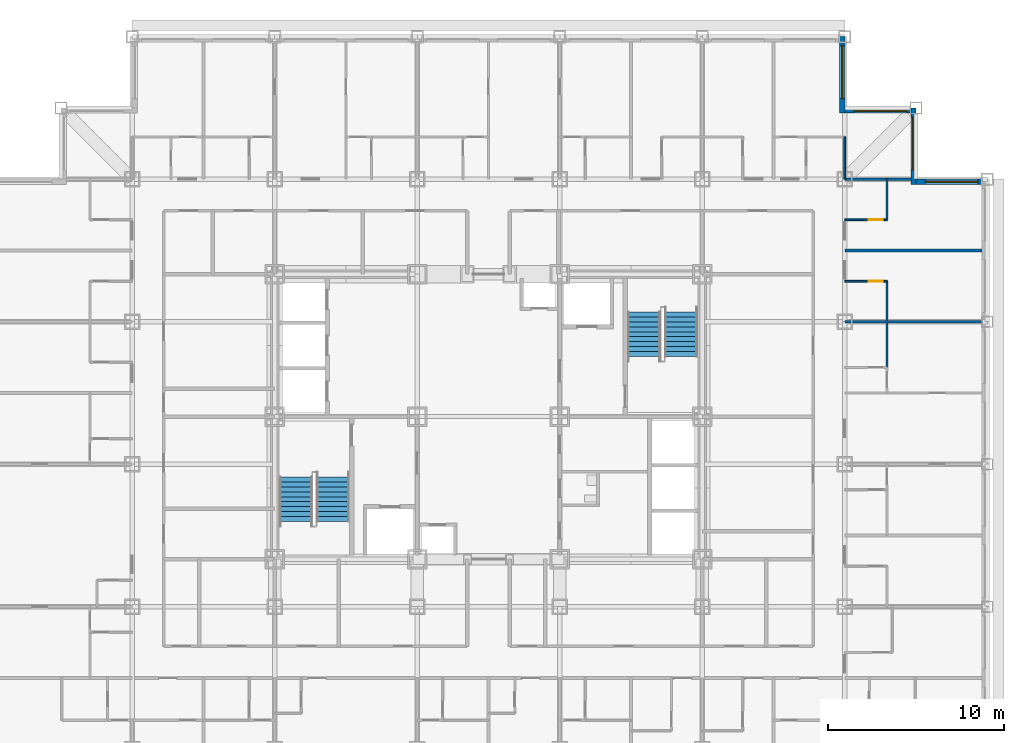
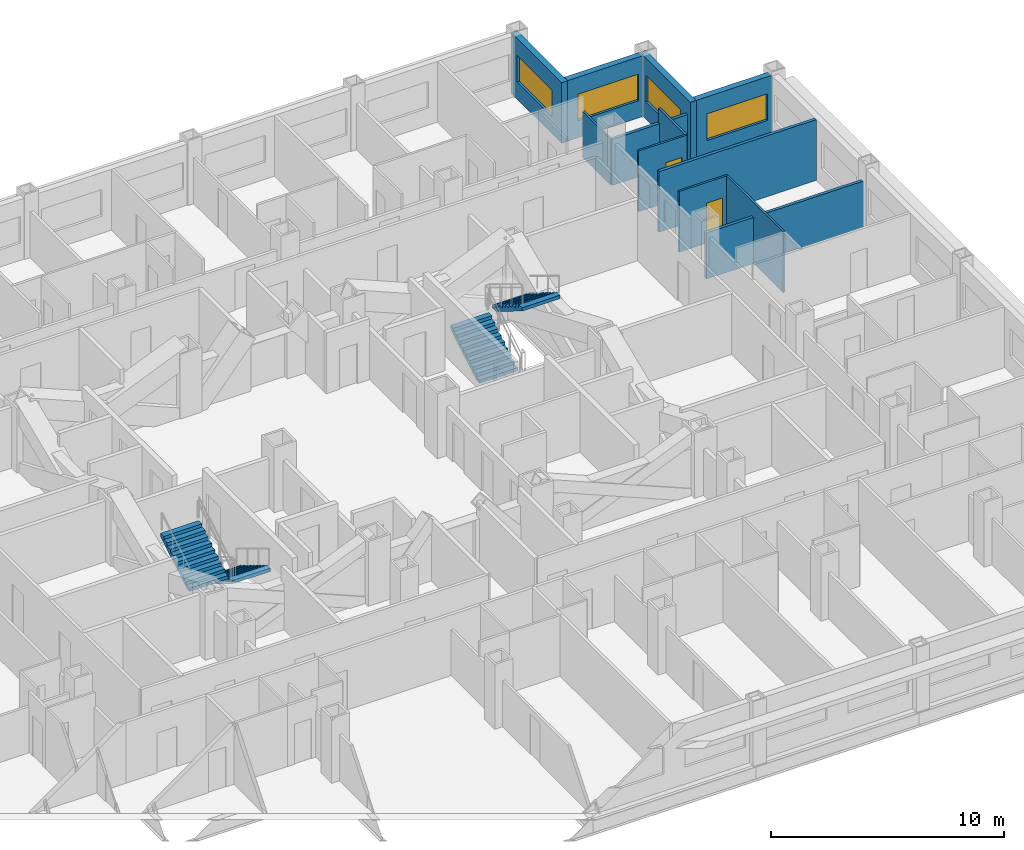
# One storey, part 12 of 14: 12 walls, 4 stair flights, 4 windows, 2 doors, 6 openings, 2 elements without a shape of their own.
"""IFC4 building model written with IfcOpenShell, lengths in metres."""

from ifc_helpers import new_model, si_unit, direction, frame, frame_2d, origin, place, context, subcontext, project, spatial, rectangle, extrude, polygons, source, transform, mapped, material, layer, layer_set, type_object, element, fill, aggregate, save


model = new_model("IFC4")

# Units and contexts
model_context = context("Model", 3, precision=1e-05, world=origin(), true_north=direction((0.0, 1.0)))
body_context = subcontext(model_context, "Body", "Model", "MODEL_VIEW")
ifc_project = project(units=[si_unit("LENGTHUNIT", "METRE"), si_unit("AREAUNIT", "SQUARE_METRE"), si_unit("VOLUMEUNIT", "CUBIC_METRE"), si_unit("PLANEANGLEUNIT", "RADIAN"), si_unit("MASSUNIT", "GRAM", prefix="KILO")], contexts=[model_context])

# Site, building, storey
site_placement = place(None, origin())
site = spatial("IfcSite", under=ifc_project, at=site_placement, CompositionType="ELEMENT")
building_placement = place(site_placement, origin())
building = spatial("IfcBuilding", under=site, at=building_placement, Name="Kopane Lantern Tower", CompositionType="ELEMENT")
storey_placement = place(building_placement, frame((0.0, 0.0, 151.0)))
storey = spatial("IfcBuildingStorey", under=building, at=storey_placement, Name="L39", CompositionType="ELEMENT", Elevation=151.0)

# Wall
ifc_material_1 = material(Name="Moisture-resistant board on steel studs", Category="steel")
ifc_layer_1 = layer(ifc_material_1, 0.10009765625)
ifc_layer_set_1 = layer_set([ifc_layer_1], Name="BATHROOM WALL 100")
wall_type_1 = type_object("IfcWallType", Name="BATHROOM WALL 100", PredefinedType="PARTITIONING", material=ifc_layer_set_1)
wall_1_placement = place(storey_placement, frame((51.0, 35.199951171875, 0.0), z_axis=(0.0, 0.0, 1.0), x_axis=(0.0, 1.0, 0.0)))
element("IfcWall", 1, at=wall_1_placement, inside=storey, type_object=wall_type_1, Name="Bathroom Wall 100 L39", PredefinedType="PARTITIONING", context=body_context, shape_type="SweptSolid", body=[
    extrude(rectangle(XDim=4.900146484375, YDim=0.10009765625, at=frame_2d((2.4501953125, 0.0))), origin(), (0.0, 0.0, 1.0), 3.18994140625),
])

# Wall, opening, door
wall_2_placement = place(storey_placement, frame((48.60009765625, 40.10009765625, 0.0), z_axis=(0.0, 0.0, 1.0), x_axis=(1.0, 0.0, 0.0)))
wall_2 = element("IfcWall", 2, at=wall_2_placement, inside=storey, type_object=wall_type_1, Name="Bathroom Wall 100 L39", PredefinedType="PARTITIONING", context=body_context, shape_type="SweptSolid", body=[
    extrude(rectangle(XDim=2.39990234375, YDim=0.10009765625, at=frame_2d((1.199951171875, 0.0))), origin(), (0.0, 0.0, 1.0), 3.18994140625),
])
opening_1_placement = place(wall_2_placement, frame((1.35009765625, 0.0, 0.0)))
opening_1 = element("IfcOpeningElement", 3, at=opening_1_placement, cuts=wall_2, Name="Opening L39-072", PredefinedType="OPENING", context=body_context, shape_type="SweptSolid", body=[
    extrude(rectangle(XDim=0.800048828125, YDim=2.10009765625, at=frame_2d((0.39990234375, 1.050048828125))), frame((0.0, 0.06005859375, 0.0), z_axis=(0.0, -1.0, 0.0), x_axis=(1.0, 0.0, 0.0)), (0.0, 0.0, 1.0), 0.1201171875),
])
ifc_material_2 = material(Name="Timber door set", Category="wood")
door_type = type_object("IfcDoorType", Name="DOOR D2 800x2100", OperationType="SINGLE_SWING_LEFT", PredefinedType="DOOR", material=ifc_material_2)
door_1_placement = place(opening_1_placement, origin())
door_1 = element("IfcDoor", 4, at=door_1_placement, inside=storey, type_object=door_type, Name="Door L39-072", OperationType="SINGLE_SWING_LEFT", OverallHeight=2.10009765625, OverallWidth=0.800048828125, PredefinedType="DOOR", context=body_context, shape_type="SweptSolid", body=[
    extrude(rectangle(XDim=0.800048828125, YDim=2.10009765625, at=frame_2d((0.39990234375, 1.050048828125))), frame((0.0, 0.02490234375, 0.0), z_axis=(0.0, -1.0, 0.0), x_axis=(1.0, 0.0, 0.0)), (0.0, 0.0, 1.0), 0.050048828125),
])
fill(opening_1, door_1)

# Wall
wall_3_placement = place(storey_placement, frame((51.0, 43.60009765625, 0.0), z_axis=(0.0, 0.0, 1.0), x_axis=(0.0, 1.0, 0.0)))
element("IfcWall", 5, at=wall_3_placement, inside=storey, type_object=wall_type_1, Name="Bathroom Wall 100 L39", PredefinedType="PARTITIONING", context=body_context, shape_type="SweptSolid", body=[
    extrude(rectangle(XDim=2.2998046875, YDim=0.10009765625, at=frame_2d((1.14990234375, 0.0))), origin(), (0.0, 0.0, 1.0), 3.18994140625),
])

# Wall, opening, door
wall_4_placement = place(storey_placement, frame((48.60009765625, 43.60009765625, 0.0), z_axis=(0.0, 0.0, 1.0), x_axis=(1.0, 0.0, 0.0)))
wall_4 = element("IfcWall", 6, at=wall_4_placement, inside=storey, type_object=wall_type_1, Name="Bathroom Wall 100 L39", PredefinedType="PARTITIONING", context=body_context, shape_type="SweptSolid", body=[
    extrude(rectangle(XDim=2.39990234375, YDim=0.10009765625, at=frame_2d((1.199951171875, 0.0))), origin(), (0.0, 0.0, 1.0), 3.18994140625),
])
opening_2_placement = place(wall_4_placement, frame((1.35009765625, 0.0, 0.0)))
opening_2 = element("IfcOpeningElement", 7, at=opening_2_placement, cuts=wall_4, Name="Opening L39-074", PredefinedType="OPENING", context=body_context, shape_type="SweptSolid", body=[
    extrude(rectangle(XDim=0.800048828125, YDim=2.10009765625, at=frame_2d((0.39990234375, 1.050048828125))), frame((0.0, 0.06005859375, 0.0), z_axis=(0.0, -1.0, 0.0), x_axis=(1.0, 0.0, 0.0)), (0.0, 0.0, 1.0), 0.1201171875),
])
door_2_placement = place(opening_2_placement, origin())
door_2 = element("IfcDoor", 8, at=door_2_placement, inside=storey, type_object=door_type, Name="Door L39-074", OperationType="SINGLE_SWING_RIGHT", OverallHeight=2.10009765625, OverallWidth=0.800048828125, PredefinedType="DOOR", context=body_context, shape_type="SweptSolid", body=[
    extrude(rectangle(XDim=0.800048828125, YDim=2.10009765625, at=frame_2d((0.39990234375, 1.050048828125))), frame((0.0, 0.02490234375, 0.0), z_axis=(0.0, -1.0, 0.0), x_axis=(1.0, 0.0, 0.0)), (0.0, 0.0, 1.0), 0.050048828125),
])
fill(opening_2, door_2)

# Walls
wall_5_placement = place(storey_placement, frame((48.60009765625, 45.89990234375, 0.0), z_axis=(0.0, 0.0, 1.0), x_axis=(0.0, 1.0, 0.0)))
element("IfcWall", 9, at=wall_5_placement, inside=storey, type_object=wall_type_1, Name="Bathroom Wall 100 L39", PredefinedType="PARTITIONING", context=body_context, shape_type="SweptSolid", body=[
    extrude(rectangle(XDim=2.400146484375, YDim=0.10009765625, at=frame_2d((1.2001953125, 0.0))), origin(), (0.0, 0.0, 1.0), 2.420166015625),
])
ifc_material_3 = material(Name="Gypsum board on steel studs", Category="steel")
ifc_layer_2 = layer(ifc_material_3, 0.14990234375)
ifc_layer_set_2 = layer_set([ifc_layer_2], Name="DEMISING WALL 150 EI 60")
wall_type_2 = type_object("IfcWallType", Name="DEMISING WALL 150 EI 60", PredefinedType="PARTITIONING", material=ifc_layer_set_2)
wall_6_placement = place(storey_placement, frame((48.60009765625, 37.800048828125, 0.0), z_axis=(0.0, 0.0, 1.0), x_axis=(1.0, 0.0, 0.0)))
element("IfcWall", 10, at=wall_6_placement, inside=storey, type_object=wall_type_2, Name="Demising Wall 150 Ei 60 L39", PredefinedType="PARTITIONING", context=body_context, shape_type="SweptSolid", body=[
    extrude(rectangle(XDim=7.7998046875, YDim=0.14990234375, at=frame_2d((3.89990234375, 0.0))), origin(), (0.0, 0.0, 1.0), 2.420166015625),
])
wall_7_placement = place(storey_placement, frame((48.60009765625, 41.85009765625, 0.0), z_axis=(0.0, 0.0, 1.0), x_axis=(1.0, 0.0, 0.0)))
element("IfcWall", 11, at=wall_7_placement, inside=storey, type_object=wall_type_2, Name="Demising Wall 150 Ei 60 L39", PredefinedType="PARTITIONING", context=body_context, shape_type="SweptSolid", body=[
    extrude(rectangle(XDim=7.7998046875, YDim=0.14990234375, at=frame_2d((3.89990234375, 0.0))), origin(), (0.0, 0.0, 1.0), 3.18994140625),
])
wall_8_placement = place(storey_placement, frame((48.60009765625, 45.89990234375, 0.0), z_axis=(0.0, 0.0, 1.0), x_axis=(1.0, 0.0, 0.0)))
element("IfcWall", 12, at=wall_8_placement, inside=storey, type_object=wall_type_2, Name="Demising Wall 150 Ei 60 L39", PredefinedType="PARTITIONING", context=body_context, shape_type="SweptSolid", body=[
    extrude(rectangle(XDim=3.75, YDim=0.14990234375, at=frame_2d((1.875, 0.0))), origin(), (0.0, 0.0, 1.0), 2.420166015625),
])

# Wall, opening, window
ifc_material_4 = material(Name="Terracotta rainscreen on light steel framing", Category="masonry")
ifc_layer_3 = layer(ifc_material_4, 0.300048828125)
ifc_layer_set_3 = layer_set([ifc_layer_3], Name="EXTERNAL WALL EW1 300 TERRACOTTA")
wall_type_3 = type_object("IfcWallType", Name="EXTERNAL WALL EW1 300 TERRACOTTA", PredefinedType="SOLIDWALL", material=ifc_layer_set_3)
wall_9_placement = place(storey_placement, frame((56.39990234375, 45.75, 0.0), z_axis=(0.0, 0.0, 1.0), x_axis=(-1.0, 0.0, 0.0)))
wall_9 = element("IfcWall", 13, at=wall_9_placement, inside=storey, type_object=wall_type_3, Name="External wall N L39", PredefinedType="SOLIDWALL", context=body_context, shape_type="SweptSolid", body=[
    extrude(rectangle(XDim=3.75, YDim=0.300048828125, at=frame_2d((1.875, 0.0))), origin(), (0.0, 0.0, 1.0), 3.18994140625),
])
opening_3_placement = place(wall_9_placement, frame((0.22509765625, 0.0, 0.89990234375)))
opening_3 = element("IfcOpeningElement", 14, at=opening_3_placement, cuts=wall_9, Name="Opening WR300140", PredefinedType="OPENING", context=body_context, shape_type="SweptSolid", body=[
    extrude(rectangle(XDim=3.0, YDim=1.39990234375, at=frame_2d((1.5, 0.699951171875))), frame((0.0, 0.159912109375, 0.0), z_axis=(0.0, -1.0, 0.0), x_axis=(1.0, 0.0, 0.0)), (0.0, 0.0, 1.0), 0.320068359375),
])
ifc_material_5 = material(Name="Aluminium and clear glass", Category="aluminium")
window_type = type_object("IfcWindowType", Name="RIBBON WINDOW WR300140 3000x1400", PartitioningType="SINGLE_PANEL", PredefinedType="WINDOW", material=ifc_material_5)
window_1_placement = place(opening_3_placement, origin())
window_1 = element("IfcWindow", 15, at=window_1_placement, inside=storey, type_object=window_type, Name="Window N L39", OverallHeight=1.39990234375, OverallWidth=3.0, PartitioningType="SINGLE_PANEL", PredefinedType="WINDOW", context=body_context, shape_type="SweptSolid", body=[
    extrude(rectangle(XDim=3.0, YDim=1.39990234375, at=frame_2d((1.5, 0.699951171875))), frame((0.0, 0.030029296875, 0.0), z_axis=(0.0, -1.0, 0.0), x_axis=(1.0, 0.0, 0.0)), (0.0, 0.0, 1.0), 0.06005859375),
])
fill(opening_3, window_1)

wall_10_placement = place(storey_placement, frame((52.5, 45.60009765625, 0.0), z_axis=(0.0, 0.0, 1.0), x_axis=(0.0, 1.0, 0.0)))
wall_10 = element("IfcWall", 16, at=wall_10_placement, inside=storey, type_object=wall_type_3, Name="External wall E L39", PredefinedType="SOLIDWALL", context=body_context, shape_type="SweptSolid", body=[
    extrude(rectangle(XDim=4.349853515625, YDim=0.300048828125, at=frame_2d((2.1748046875, 0.0))), origin(), (0.0, 0.0, 1.0), 3.18994140625),
])
opening_4_placement = place(wall_10_placement, frame((0.824951171875, 0.0, 0.89990234375)))
opening_4 = element("IfcOpeningElement", 17, at=opening_4_placement, cuts=wall_10, Name="Opening WR300140", PredefinedType="OPENING", context=body_context, shape_type="SweptSolid", body=[
    extrude(rectangle(XDim=3.0, YDim=1.39990234375, at=frame_2d((1.5, 0.699951171875))), frame((0.0, 0.159912109375, 0.0), z_axis=(0.0, -1.0, 0.0), x_axis=(1.0, 0.0, 0.0)), (0.0, 0.0, 1.0), 0.320068359375),
])
window_2_placement = place(opening_4_placement, origin())
window_2 = element("IfcWindow", 18, at=window_2_placement, inside=storey, type_object=window_type, Name="Window E L39", OverallHeight=1.39990234375, OverallWidth=3.0, PartitioningType="SINGLE_PANEL", PredefinedType="WINDOW", context=body_context, shape_type="SweptSolid", body=[
    extrude(rectangle(XDim=3.0, YDim=1.39990234375, at=frame_2d((1.5, 0.699951171875))), frame((0.0, 0.030029296875, 0.0), z_axis=(0.0, -1.0, 0.0), x_axis=(1.0, 0.0, 0.0)), (0.0, 0.0, 1.0), 0.06005859375),
])
fill(opening_4, window_2)

wall_11_placement = place(storey_placement, frame((52.35009765625, 49.800048828125, 0.0), z_axis=(0.0, 0.0, 1.0), x_axis=(-1.0, 0.0, 0.0)))
wall_11 = element("IfcWall", 19, at=wall_11_placement, inside=storey, type_object=wall_type_3, Name="External wall N L39", PredefinedType="SOLIDWALL", context=body_context, shape_type="SweptSolid", body=[
    extrude(rectangle(XDim=3.75, YDim=0.300048828125, at=frame_2d((1.875, 0.0))), origin(), (0.0, 0.0, 1.0), 3.18994140625),
])
opening_5_placement = place(wall_11_placement, frame((0.22509765625, 0.0, 0.89990234375)))
opening_5 = element("IfcOpeningElement", 20, at=opening_5_placement, cuts=wall_11, Name="Opening WR300140", PredefinedType="OPENING", context=body_context, shape_type="SweptSolid", body=[
    extrude(rectangle(XDim=3.0, YDim=1.39990234375, at=frame_2d((1.5, 0.699951171875))), frame((0.0, 0.159912109375, 0.0), z_axis=(0.0, -1.0, 0.0), x_axis=(1.0, 0.0, 0.0)), (0.0, 0.0, 1.0), 0.320068359375),
])
window_3_placement = place(opening_5_placement, origin())
window_3 = element("IfcWindow", 21, at=window_3_placement, inside=storey, type_object=window_type, Name="Window N L39", OverallHeight=1.39990234375, OverallWidth=3.0, PartitioningType="SINGLE_PANEL", PredefinedType="WINDOW", context=body_context, shape_type="SweptSolid", body=[
    extrude(rectangle(XDim=3.0, YDim=1.39990234375, at=frame_2d((1.5, 0.699951171875))), frame((0.0, 0.030029296875, 0.0), z_axis=(0.0, -1.0, 0.0), x_axis=(1.0, 0.0, 0.0)), (0.0, 0.0, 1.0), 0.06005859375),
])
fill(opening_5, window_3)

wall_12_placement = place(storey_placement, frame((48.449951171875, 49.64990234375, 0.0), z_axis=(0.0, 0.0, 1.0), x_axis=(0.0, 1.0, 0.0)))
wall_12 = element("IfcWall", 22, at=wall_12_placement, inside=storey, type_object=wall_type_3, Name="External wall E L39", PredefinedType="SOLIDWALL", context=body_context, shape_type="SweptSolid", body=[
    extrude(rectangle(XDim=4.35009765625, YDim=0.300048828125, at=frame_2d((2.175048828125, 0.0))), origin(), (0.0, 0.0, 1.0), 3.18994140625),
])
opening_6_placement = place(wall_12_placement, frame((0.824951171875, 0.0, 0.89990234375)))
opening_6 = element("IfcOpeningElement", 23, at=opening_6_placement, cuts=wall_12, Name="Opening WR300140", PredefinedType="OPENING", context=body_context, shape_type="SweptSolid", body=[
    extrude(rectangle(XDim=3.0, YDim=1.39990234375, at=frame_2d((1.5, 0.699951171875))), frame((0.0, 0.159912109375, 0.0), z_axis=(0.0, -1.0, 0.0), x_axis=(1.0, 0.0, 0.0)), (0.0, 0.0, 1.0), 0.320068359375),
])
window_4_placement = place(opening_6_placement, origin())
window_4 = element("IfcWindow", 24, at=window_4_placement, inside=storey, type_object=window_type, Name="Window E L39", OverallHeight=1.39990234375, OverallWidth=3.0, PartitioningType="SINGLE_PANEL", PredefinedType="WINDOW", context=body_context, shape_type="SweptSolid", body=[
    extrude(rectangle(XDim=3.0, YDim=1.39990234375, at=frame_2d((1.5, 0.699951171875))), frame((0.0, 0.030029296875, 0.0), z_axis=(0.0, -1.0, 0.0), x_axis=(1.0, 0.0, 0.0)), (0.0, 0.0, 1.0), 0.06005859375),
])
fill(opening_6, window_4)

# Stair, stair flights
ifc_material_6 = material(Name="Steel S355JR", Category="steel")
stair_type = type_object("IfcStairType", Name="EXIT STAIR 1900 HALF TURN", PredefinedType="HALF_TURN_STAIR", material=ifc_material_6)
stair_1_placement = place(storey_placement, origin())
stair_1 = element("IfcStair", 25, at=stair_1_placement, inside=storey, type_object=stair_type, Name="Exit stair ST1 L39", PredefinedType="HALF_TURN_STAIR")
ifc_material_7 = material(Name="Steel S355JR", Category="steel")
stair_flight_type = type_object("IfcStairFlightType", Name="STAIR FLIGHT 1900 STEEL", PredefinedType="STRAIGHT", material=ifc_material_7)
shared_shape = source(origin(), body_context, "Body", "Tessellation", [
    polygons([(2.520019531, 0.949951172, 1.530029297), (2.239990234, 0.949951172, 1.530029297), (2.239990234, -0.949951172, 1.530029297), (2.520019531, -0.949951172, 1.530029297), (0.288818359, 0.949951172, 0.0), (2.520019531, 0.949951172, 1.354736328), (2.520019531, -0.949951172, 1.354736328), (0.288818359, -0.949951172, 0.0), (0.0, 0.949951172, 0.0), (0.0, -0.949951172, 0.0), (0.280029297, 0.949951172, 0.169921875), (0.0, 0.949951172, 0.169921875), (0.0, -0.949951172, 0.169921875), (0.280029297, -0.949951172, 0.169921875), (0.280029297, 0.949951172, 0.340087891), (0.280029297, -0.949951172, 0.340087891), (0.560058594, 0.949951172, 0.340087891), (0.560058594, -0.949951172, 0.340087891), (0.560058594, 0.949951172, 0.510009766), (0.560058594, -0.949951172, 0.510009766), (0.840087891, 0.949951172, 0.510009766), (0.840087891, -0.949951172, 0.510009766), (0.840087891, 0.949951172, 0.679931641), (0.840087891, -0.949951172, 0.679931641), (1.120117188, 0.949951172, 0.679931641), (1.120117188, -0.949951172, 0.679931641), (1.120117188, 0.949951172, 0.850097656), (1.120117188, -0.949951172, 0.850097656), (1.399902344, 0.949951172, 0.850097656), (1.399902344, -0.949951172, 0.850097656), (1.399902344, 0.949951172, 1.020019531), (1.399902344, -0.949951172, 1.020019531), (1.679931641, 0.949951172, 1.020019531), (1.679931641, -0.949951172, 1.020019531), (1.679931641, 0.949951172, 1.189941406), (1.679931641, -0.949951172, 1.189941406), (1.959960938, 0.949951172, 1.189941406), (1.959960938, -0.949951172, 1.189941406), (1.959960938, 0.949951172, 1.360107422), (1.959960938, -0.949951172, 1.360107422), (2.239990234, 0.949951172, 1.360107422), (2.239990234, -0.949951172, 1.360107422), (0.0, 0.0, 0.004592483), (0.0, 0.0, 0.009184966), (0.0, 0.0, 0.013777449), (0.0, 0.0, 0.018369932), (0.0, 0.0, 0.022962416), (0.0, 0.0, 0.027554899), (0.0, 0.0, 0.032147382), (0.0, 0.0, 0.036739865), (0.0, 0.0, 0.041332348), (0.0, 0.0, 0.045924831), (0.0, 0.0, 0.050517314), (0.0, 0.0, 0.055109797), (0.0, 0.0, 0.05970228), (0.0, 0.0, 0.064294764), (0.0, 0.0, 0.068887247), (0.0, 0.0, 0.07347973), (0.0, 0.0, 0.078072213), (0.0, 0.0, 0.082664696), (0.0, 0.0, 0.087257179), (0.0, 0.0, 0.091849662), (0.0, 0.0, 0.096442145), (0.0, 0.0, 0.101034628), (0.0, 0.0, 0.105627111), (0.0, 0.0, 0.110219595), (0.0, 0.0, 0.114812078), (0.0, 0.0, 0.119404561), (0.0, 0.0, 0.123997044), (0.0, 0.0, 0.128589527), (0.0, 0.0, 0.13318201), (0.0, 0.0, 0.137774493), (0.0, 0.0, 0.142366976), (0.0, 0.0, 0.146959459), (0.0, 0.0, 0.151551943), (0.0, 0.0, 0.156144426), (0.0, 0.0, 0.160736909), (0.0, 0.0, 0.165329392), (2.520019531, 0.0, 1.359473976), (2.520019531, 0.0, 1.364211624), (2.520019531, 0.0, 1.368949272), (2.520019531, 0.0, 1.373686919), (2.520019531, 0.0, 1.378424567), (2.520019531, 0.0, 1.383162215), (2.520019531, 0.0, 1.387899863), (2.520019531, 0.0, 1.392637511), (2.520019531, 0.0, 1.397375158), (2.520019531, 0.0, 1.402112806), (2.520019531, 0.0, 1.406850454), (2.520019531, 0.0, 1.411588102), (2.520019531, 0.0, 1.41632575), (2.520019531, 0.0, 1.421063397), (2.520019531, 0.0, 1.425801045), (2.520019531, 0.0, 1.430538693), (2.520019531, 0.0, 1.435276341), (2.520019531, 0.0, 1.440013989), (2.520019531, 0.0, 1.444751636), (2.520019531, 0.0, 1.449489284), (2.520019531, 0.0, 1.454226932), (2.520019531, 0.0, 1.45896458), (2.520019531, 0.0, 1.463702228), (2.520019531, 0.0, 1.468439875), (2.520019531, 0.0, 1.473177523), (2.520019531, 0.0, 1.477915171), (2.520019531, 0.0, 1.482652819), (2.520019531, 0.0, 1.487390467), (2.520019531, 0.0, 1.492128114), (2.520019531, 0.0, 1.496865762), (2.520019531, 0.0, 1.50160341), (2.520019531, 0.0, 1.506341058), (2.520019531, 0.0, 1.511078706), (2.520019531, 0.0, 1.515816353), (2.520019531, 0.0, 1.520554001), (2.520019531, 0.0, 1.525291649)], [[[1, 2, 3]], [[1, 3, 4]], [[5, 6, 7]], [[5, 7, 8]], [[9, 5, 8]], [[9, 8, 10]], [[11, 12, 13]], [[11, 13, 14]], [[15, 11, 14]], [[15, 14, 16]], [[17, 15, 16]], [[17, 16, 18]], [[19, 17, 18]], [[19, 18, 20]], [[21, 19, 20]], [[21, 20, 22]], [[23, 21, 22]], [[23, 22, 24]], [[25, 23, 24]], [[25, 24, 26]], [[27, 25, 26]], [[27, 26, 28]], [[29, 27, 28]], [[29, 28, 30]], [[31, 29, 30]], [[31, 30, 32]], [[33, 31, 32]], [[33, 32, 34]], [[35, 33, 34]], [[35, 34, 36]], [[37, 35, 36]], [[37, 36, 38]], [[39, 37, 38]], [[39, 38, 40]], [[41, 39, 40]], [[41, 40, 42]], [[2, 41, 42]], [[2, 42, 3]], [[41, 1, 6]], [[37, 41, 6]], [[2, 1, 41]], [[33, 37, 6]], [[39, 41, 37]], [[35, 37, 33]], [[31, 33, 29]], [[5, 21, 25]], [[27, 29, 25]], [[17, 21, 5]], [[23, 25, 21]], [[11, 17, 5]], [[19, 21, 17]], [[9, 11, 5]], [[15, 17, 11]], [[12, 11, 9]], [[6, 5, 25]], [[6, 25, 29]], [[6, 29, 33]], [[7, 4, 42]], [[7, 42, 38]], [[42, 4, 3]], [[7, 38, 34]], [[38, 42, 40]], [[34, 38, 36]], [[30, 34, 32]], [[26, 22, 8]], [[26, 30, 28]], [[8, 22, 18]], [[22, 26, 24]], [[8, 18, 14]], [[18, 22, 20]], [[8, 14, 10]], [[14, 18, 16]], [[10, 14, 13]], [[26, 8, 7]], [[30, 26, 7]], [[34, 30, 7]], [[10, 43, 9]], [[10, 44, 43]], [[9, 43, 44]], [[10, 45, 44]], [[9, 44, 45]], [[10, 46, 45]], [[9, 45, 46]], [[10, 47, 46]], [[9, 46, 47]], [[10, 48, 47]], [[9, 47, 48]], [[10, 49, 48]], [[9, 48, 49]], [[10, 50, 49]], [[9, 49, 50]], [[10, 51, 50]], [[9, 50, 51]], [[10, 52, 51]], [[9, 51, 52]], [[10, 53, 52]], [[9, 52, 53]], [[10, 54, 53]], [[9, 53, 54]], [[10, 55, 54]], [[9, 54, 55]], [[10, 56, 55]], [[9, 55, 56]], [[10, 57, 56]], [[9, 56, 57]], [[10, 58, 57]], [[9, 57, 58]], [[10, 59, 58]], [[9, 58, 59]], [[10, 60, 59]], [[9, 59, 60]], [[10, 61, 60]], [[9, 60, 61]], [[10, 62, 61]], [[9, 61, 62]], [[10, 63, 62]], [[9, 62, 63]], [[10, 64, 63]], [[9, 63, 64]], [[10, 65, 64]], [[9, 64, 65]], [[10, 66, 65]], [[9, 65, 66]], [[10, 67, 66]], [[9, 66, 67]], [[10, 68, 67]], [[9, 67, 68]], [[10, 69, 68]], [[9, 68, 69]], [[10, 70, 69]], [[9, 69, 70]], [[10, 71, 70]], [[9, 70, 71]], [[10, 72, 71]], [[9, 71, 72]], [[10, 73, 72]], [[9, 72, 73]], [[10, 74, 73]], [[9, 73, 74]], [[10, 75, 74]], [[9, 74, 75]], [[10, 76, 75]], [[9, 75, 76]], [[10, 77, 76]], [[9, 76, 77]], [[10, 78, 77]], [[9, 77, 78]], [[10, 13, 78]], [[78, 13, 12]], [[9, 78, 12]], [[7, 6, 79]], [[7, 79, 80]], [[6, 80, 79]], [[7, 80, 81]], [[6, 81, 80]], [[7, 81, 82]], [[6, 82, 81]], [[7, 82, 83]], [[6, 83, 82]], [[7, 83, 84]], [[6, 84, 83]], [[7, 84, 85]], [[6, 85, 84]], [[7, 85, 86]], [[6, 86, 85]], [[7, 86, 87]], [[6, 87, 86]], [[7, 87, 88]], [[6, 88, 87]], [[7, 88, 89]], [[6, 89, 88]], [[7, 89, 90]], [[6, 90, 89]], [[7, 90, 91]], [[6, 91, 90]], [[7, 91, 92]], [[6, 92, 91]], [[7, 92, 93]], [[6, 93, 92]], [[7, 93, 94]], [[6, 94, 93]], [[7, 94, 95]], [[6, 95, 94]], [[7, 95, 96]], [[6, 96, 95]], [[7, 96, 97]], [[6, 97, 96]], [[7, 97, 98]], [[6, 98, 97]], [[7, 98, 99]], [[6, 99, 98]], [[7, 99, 100]], [[6, 100, 99]], [[7, 100, 101]], [[6, 101, 100]], [[7, 101, 102]], [[6, 102, 101]], [[7, 102, 103]], [[6, 103, 102]], [[7, 103, 104]], [[6, 104, 103]], [[7, 104, 105]], [[6, 105, 104]], [[7, 105, 106]], [[6, 106, 105]], [[7, 106, 107]], [[6, 107, 106]], [[7, 107, 108]], [[6, 108, 107]], [[7, 108, 109]], [[6, 109, 108]], [[7, 109, 110]], [[6, 110, 109]], [[7, 110, 111]], [[6, 111, 110]], [[7, 111, 112]], [[6, 112, 111]], [[7, 112, 113]], [[6, 113, 112]], [[7, 113, 114]], [[6, 114, 113]], [[7, 114, 4]], [[114, 1, 4]], [[6, 1, 114]]], closed=True),
])
stair_flight_1_placement = place(storey_placement, frame((19.5, 28.969970703125, 0.0), z_axis=(0.0, 0.0, 1.0), x_axis=(0.0, -1.0, 0.0)))
stair_flight_1 = element("IfcStairFlight", 26, at=stair_flight_1_placement, type_object=stair_flight_type, Name="ST1 flight 1", NumberOfRisers=10, NumberOfTreads=9, PredefinedType="STRAIGHT", RiserHeight=0.17, TreadLength=0.28, context=body_context, shape_type="MappedRepresentation", body=[
    mapped(shared_shape, transform((0.0, 0.0, 0.0))),
])
stair_flight_2_placement = place(storey_placement, frame((17.39990234375, 26.449951171875, 1.699951171875), z_axis=(0.0, 0.0, 1.0), x_axis=(0.0, 1.0, 0.0)))
stair_flight_2 = element("IfcStairFlight", 27, at=stair_flight_2_placement, type_object=stair_flight_type, Name="ST1 flight 2", NumberOfRisers=10, NumberOfTreads=9, PredefinedType="STRAIGHT", RiserHeight=0.17, TreadLength=0.28, context=body_context, shape_type="MappedRepresentation", body=[
    mapped(shared_shape, transform((0.0, 0.0, 0.0))),
])
aggregate(stair_1, [stair_flight_1, stair_flight_2])

stair_2_placement = place(storey_placement, origin())
stair_2 = element("IfcStair", 28, at=stair_2_placement, inside=storey, type_object=stair_type, Name="Exit stair ST2 L39", PredefinedType="HALF_TURN_STAIR")
stair_flight_3_placement = place(storey_placement, frame((37.199951171875, 35.830078125, 0.0), z_axis=(0.0, 0.0, 1.0), x_axis=(0.0, 1.0, 0.0)))
stair_flight_3 = element("IfcStairFlight", 29, at=stair_flight_3_placement, type_object=stair_flight_type, Name="ST2 flight 1", NumberOfRisers=10, NumberOfTreads=9, PredefinedType="STRAIGHT", RiserHeight=0.17, TreadLength=0.28, context=body_context, shape_type="MappedRepresentation", body=[
    mapped(shared_shape, transform((0.0, 0.0, 0.0))),
])
stair_flight_4_placement = place(storey_placement, frame((39.300048828125, 38.35009765625, 1.699951171875), z_axis=(0.0, 0.0, 1.0), x_axis=(0.0, -1.0, 0.0)))
stair_flight_4 = element("IfcStairFlight", 30, at=stair_flight_4_placement, type_object=stair_flight_type, Name="ST2 flight 2", NumberOfRisers=10, NumberOfTreads=9, PredefinedType="STRAIGHT", RiserHeight=0.17, TreadLength=0.28, context=body_context, shape_type="MappedRepresentation", body=[
    mapped(shared_shape, transform((0.0, 0.0, 0.0))),
])
aggregate(stair_2, [stair_flight_3, stair_flight_4])

save(model, "model.ifc")
